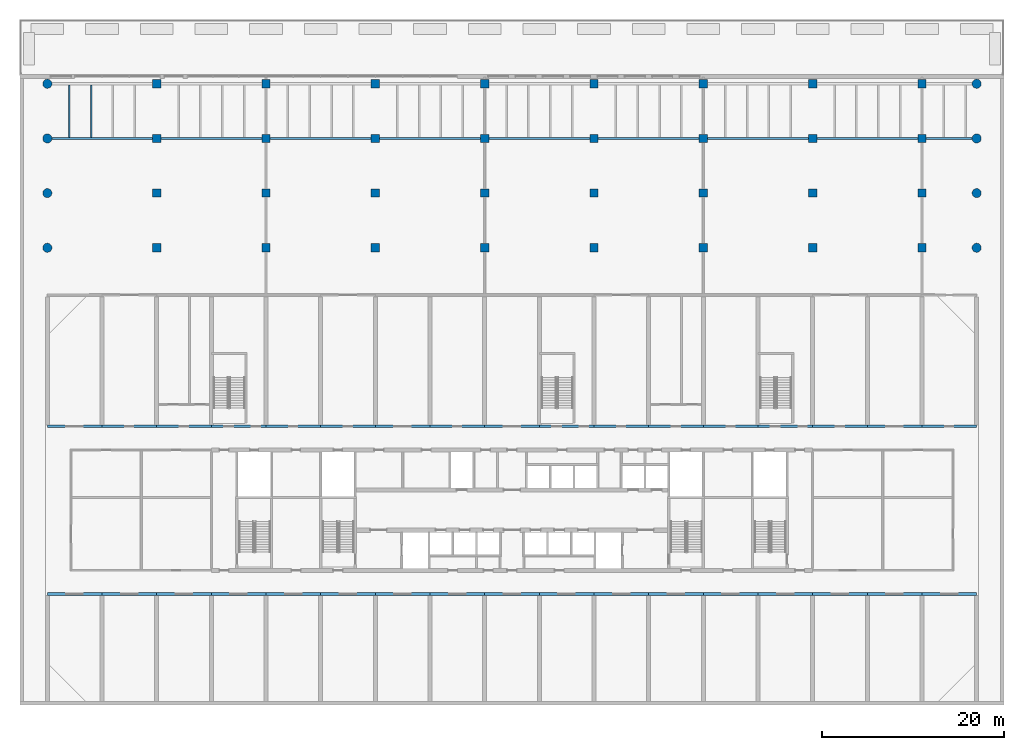
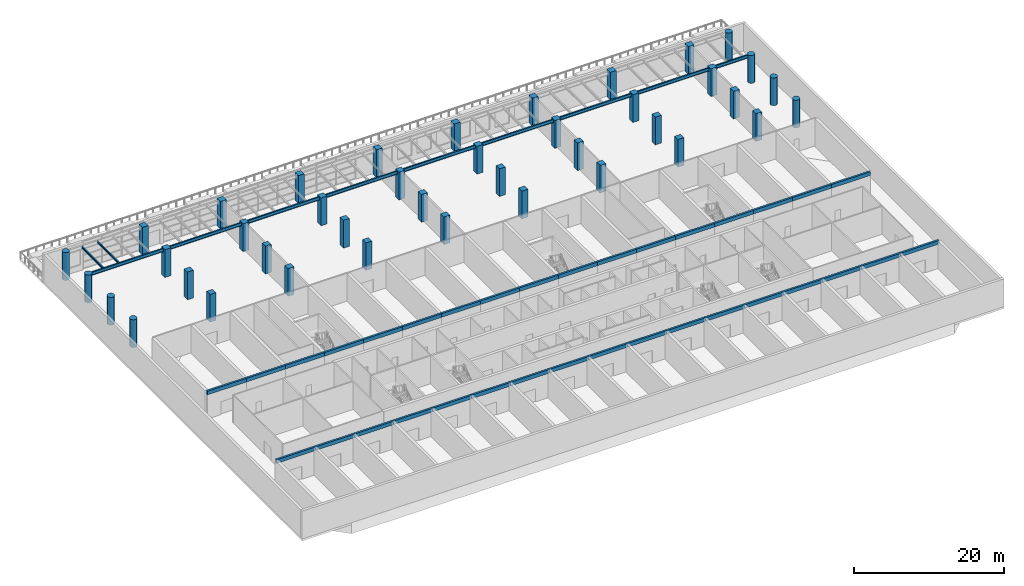
# One storey, part 1 of 20: 45 beams, 40 columns.
"""IFC4 building model written with IfcOpenShell, lengths in metres."""

from ifc_helpers import new_model, si_unit, direction, frame, origin, origin_2d, place, context, subcontext, project, spatial, rectangle, circle, i_section, extrude, source, transform, mapped, material, material_profile, profile_set, type_object, element, save


model = new_model("IFC4")

# Units and contexts
model_context = context("Model", 3, precision=1e-05, world=origin(), true_north=direction((0.0, 1.0)))
body_context = subcontext(model_context, "Body", "Model", "MODEL_VIEW")
ifc_project = project(units=[si_unit("LENGTHUNIT", "METRE"), si_unit("AREAUNIT", "SQUARE_METRE"), si_unit("VOLUMEUNIT", "CUBIC_METRE"), si_unit("PLANEANGLEUNIT", "RADIAN"), si_unit("MASSUNIT", "GRAM", prefix="KILO")], contexts=[model_context])

# Site, building, storey
site_placement = place(None, origin())
site = spatial("IfcSite", under=ifc_project, at=site_placement, CompositionType="ELEMENT")
building_placement = place(site_placement, origin())
building = spatial("IfcBuilding", under=site, at=building_placement, Name="Poui Terraces", CompositionType="ELEMENT")
storey_placement = place(building_placement, frame((0.0, 0.0, 6.0)))
storey = spatial("IfcBuildingStorey", under=building, at=storey_placement, Name="L01", CompositionType="ELEMENT", Elevation=6.0)

# Columns
ifc_material_1 = material(Name="Concrete 80 MPa", Category="concrete")
ifc_material_profile_1 = material_profile(ifc_material_1, circle(Radius=0.5, at=origin_2d()), Name="RC D1000")
ifc_profile_set_1 = profile_set([ifc_material_profile_1], Name="Concrete 80 MPa")
column_type_1 = type_object("IfcColumnType", Name="COLUMN D1000 80MPa", PredefinedType="COLUMN", material=ifc_profile_set_1)
shared_shape_1 = source(origin(), body_context, "Body", "SweptSolid", [
    extrude(circle(Radius=0.5, at=origin_2d()), origin(), (0.0, 0.0, 1.0), 4.52001953125),
])
for number, where, z_axis, x_axis, name in (
    (1, (0.0, 68.0, 0.0), (0.0, 0.0, 1.0), (1.0, 0.0, 0.0), "COLUMN P1-1R"),
    (2, (102.0, 68.0, 0.0), (0.0, 0.0, 1.0), (1.0, 0.0, 0.0), "COLUMN P1-10R"),
    (3, (0.0, 62.0, 0.0), (0.0, 0.0, 1.0), (1.0, 0.0, 0.0), "COLUMN P2-1R"),
    (4, (102.0, 62.0, 0.0), (0.0, 0.0, 1.0), (1.0, 0.0, 0.0), "COLUMN P2-10R"),
    (5, (0.0, 56.0, 0.0), (0.0, 0.0, 1.0), (1.0, 0.0, 0.0), "COLUMN P3-1R"),
    (6, (102.0, 56.0, 0.0), (0.0, 0.0, 1.0), (1.0, 0.0, 0.0), "COLUMN P3-10R"),
    (7, (0.0, 50.0, 0.0), (0.0, 0.0, 1.0), (1.0, 0.0, 0.0), "COLUMN P4-1R"),
    (8, (102.0, 50.0, 0.0), (0.0, 0.0, 1.0), (1.0, 0.0, 0.0), "COLUMN P4-10R"),
):
    element("IfcColumn", number, at=place(storey_placement, frame(where, z_axis=z_axis, x_axis=x_axis)), inside=storey, type_object=column_type_1, Name=name, PredefinedType="COLUMN", context=body_context, shape_type="MappedRepresentation", body=[
        mapped(shared_shape_1, transform((0.0, 0.0, 0.0))),
    ])
ifc_material_profile_2 = material_profile(ifc_material_1, rectangle(XDim=0.89990234375, YDim=0.89990234375, at=origin_2d()), Name="RC 900x900")
ifc_profile_set_2 = profile_set([ifc_material_profile_2], Name="Concrete 80 MPa")
column_type_2 = type_object("IfcColumnType", Name="COLUMN 900x900 80MPa", PredefinedType="COLUMN", material=ifc_profile_set_2)
shared_shape_2 = source(origin(), body_context, "Body", "SweptSolid", [
    extrude(rectangle(XDim=0.89990234375, YDim=0.89990234375, at=origin_2d()), origin(), (0.0, 0.0, 1.0), 4.52001953125),
])
for number, where, z_axis, x_axis, name in (
    (9, (12.0, 68.0, 0.0), (0.0, 0.0, 1.0), (1.0, 0.0, 0.0), "COLUMN P1-2"),
    (10, (24.0, 68.0, 0.0), (0.0, 0.0, 1.0), (1.0, 0.0, 0.0), "COLUMN P1-3"),
    (11, (36.0, 68.0, 0.0), (0.0, 0.0, 1.0), (1.0, 0.0, 0.0), "COLUMN P1-4"),
    (12, (48.0, 68.0, 0.0), (0.0, 0.0, 1.0), (1.0, 0.0, 0.0), "COLUMN P1-5"),
    (13, (60.0, 68.0, 0.0), (0.0, 0.0, 1.0), (1.0, 0.0, 0.0), "COLUMN P1-6"),
    (14, (72.0, 68.0, 0.0), (0.0, 0.0, 1.0), (1.0, 0.0, 0.0), "COLUMN P1-7"),
    (15, (84.0, 68.0, 0.0), (0.0, 0.0, 1.0), (1.0, 0.0, 0.0), "COLUMN P1-8"),
    (16, (96.0, 68.0, 0.0), (0.0, 0.0, 1.0), (1.0, 0.0, 0.0), "COLUMN P1-9"),
    (17, (12.0, 62.0, 0.0), (0.0, 0.0, 1.0), (1.0, 0.0, 0.0), "COLUMN P2-2"),
    (18, (24.0, 62.0, 0.0), (0.0, 0.0, 1.0), (1.0, 0.0, 0.0), "COLUMN P2-3"),
    (19, (36.0, 62.0, 0.0), (0.0, 0.0, 1.0), (1.0, 0.0, 0.0), "COLUMN P2-4"),
    (20, (48.0, 62.0, 0.0), (0.0, 0.0, 1.0), (1.0, 0.0, 0.0), "COLUMN P2-5"),
    (21, (60.0, 62.0, 0.0), (0.0, 0.0, 1.0), (1.0, 0.0, 0.0), "COLUMN P2-6"),
    (22, (72.0, 62.0, 0.0), (0.0, 0.0, 1.0), (1.0, 0.0, 0.0), "COLUMN P2-7"),
    (23, (84.0, 62.0, 0.0), (0.0, 0.0, 1.0), (1.0, 0.0, 0.0), "COLUMN P2-8"),
    (24, (96.0, 62.0, 0.0), (0.0, 0.0, 1.0), (1.0, 0.0, 0.0), "COLUMN P2-9"),
    (25, (12.0, 56.0, 0.0), (0.0, 0.0, 1.0), (1.0, 0.0, 0.0), "COLUMN P3-2"),
    (26, (24.0, 56.0, 0.0), (0.0, 0.0, 1.0), (1.0, 0.0, 0.0), "COLUMN P3-3"),
    (27, (36.0, 56.0, 0.0), (0.0, 0.0, 1.0), (1.0, 0.0, 0.0), "COLUMN P3-4"),
    (28, (48.0, 56.0, 0.0), (0.0, 0.0, 1.0), (1.0, 0.0, 0.0), "COLUMN P3-5"),
    (29, (60.0, 56.0, 0.0), (0.0, 0.0, 1.0), (1.0, 0.0, 0.0), "COLUMN P3-6"),
    (30, (72.0, 56.0, 0.0), (0.0, 0.0, 1.0), (1.0, 0.0, 0.0), "COLUMN P3-7"),
    (31, (84.0, 56.0, 0.0), (0.0, 0.0, 1.0), (1.0, 0.0, 0.0), "COLUMN P3-8"),
    (32, (96.0, 56.0, 0.0), (0.0, 0.0, 1.0), (1.0, 0.0, 0.0), "COLUMN P3-9"),
    (33, (12.0, 50.0, 0.0), (0.0, 0.0, 1.0), (1.0, 0.0, 0.0), "COLUMN P4-2"),
    (34, (24.0, 50.0, 0.0), (0.0, 0.0, 1.0), (1.0, 0.0, 0.0), "COLUMN P4-3"),
    (35, (36.0, 50.0, 0.0), (0.0, 0.0, 1.0), (1.0, 0.0, 0.0), "COLUMN P4-4"),
    (36, (48.0, 50.0, 0.0), (0.0, 0.0, 1.0), (1.0, 0.0, 0.0), "COLUMN P4-5"),
    (37, (60.0, 50.0, 0.0), (0.0, 0.0, 1.0), (1.0, 0.0, 0.0), "COLUMN P4-6"),
    (38, (72.0, 50.0, 0.0), (0.0, 0.0, 1.0), (1.0, 0.0, 0.0), "COLUMN P4-7"),
    (39, (84.0, 50.0, 0.0), (0.0, 0.0, 1.0), (1.0, 0.0, 0.0), "COLUMN P4-8"),
    (40, (96.0, 50.0, 0.0), (0.0, 0.0, 1.0), (1.0, 0.0, 0.0), "COLUMN P4-9"),
):
    element("IfcColumn", number, at=place(storey_placement, frame(where, z_axis=z_axis, x_axis=x_axis)), inside=storey, type_object=column_type_2, Name=name, PredefinedType="COLUMN", context=body_context, shape_type="MappedRepresentation", body=[
        mapped(shared_shape_2, transform((0.0, 0.0, 0.0))),
    ])

# Beams
ifc_material_profile_3 = material_profile(ifc_material_1, rectangle(XDim=0.300048828125, YDim=0.60009765625, at=origin_2d()), Name="RC 300x600")
ifc_profile_set_3 = profile_set([ifc_material_profile_3], Name="Concrete 80 MPa")
beam_type_1 = type_object("IfcBeamType", Name="COUPLING BEAM 300x600 80MPa", PredefinedType="BEAM", material=ifc_profile_set_3)
shared_shape_3 = source(origin(), body_context, "Body", "SweptSolid", [
    extrude(rectangle(XDim=0.300048828125, YDim=0.60009765625, at=origin_2d()), origin(), (0.0, 0.0, 1.0), 6.0),
])
for number, where, z_axis, x_axis, name in (
    (41, (0.0, 12.0, 4.219970703125), (1.0, 0.0, 0.0), (0.0, 1.0, 0.0), "COUPLING BEAM LINE B BAY 1"),
    (42, (6.0, 12.0, 4.219970703125), (1.0, 0.0, 0.0), (0.0, 1.0, 0.0), "COUPLING BEAM LINE B BAY 2"),
    (43, (12.0, 12.0, 4.219970703125), (1.0, 0.0, 0.0), (0.0, 1.0, 0.0), "COUPLING BEAM LINE B BAY 3"),
    (44, (18.0, 12.0, 4.219970703125), (1.0, 0.0, 0.0), (0.0, 1.0, 0.0), "COUPLING BEAM LINE B BAY 4"),
    (45, (24.0, 12.0, 4.219970703125), (1.0, 0.0, 0.0), (0.0, 1.0, 0.0), "COUPLING BEAM LINE B BAY 5"),
    (46, (30.0, 12.0, 4.219970703125), (1.0, 0.0, 0.0), (0.0, 1.0, 0.0), "COUPLING BEAM LINE B BAY 6"),
    (47, (36.0, 12.0, 4.219970703125), (1.0, 0.0, 0.0), (0.0, 1.0, 0.0), "COUPLING BEAM LINE B BAY 7"),
    (48, (42.0, 12.0, 4.219970703125), (1.0, 0.0, 0.0), (0.0, 1.0, 0.0), "COUPLING BEAM LINE B BAY 8"),
    (49, (48.0, 12.0, 4.219970703125), (1.0, 0.0, 0.0), (0.0, 1.0, 0.0), "COUPLING BEAM LINE B BAY 9"),
    (50, (54.0, 12.0, 4.219970703125), (1.0, 0.0, 0.0), (0.0, 1.0, 0.0), "COUPLING BEAM LINE B BAY 10"),
    (51, (60.0, 12.0, 4.219970703125), (1.0, 0.0, 0.0), (0.0, 1.0, 0.0), "COUPLING BEAM LINE B BAY 11"),
    (52, (66.0, 12.0, 4.219970703125), (1.0, 0.0, 0.0), (0.0, 1.0, 0.0), "COUPLING BEAM LINE B BAY 12"),
    (53, (72.0, 12.0, 4.219970703125), (1.0, 0.0, 0.0), (0.0, 1.0, 0.0), "COUPLING BEAM LINE B BAY 13"),
    (54, (78.0, 12.0, 4.219970703125), (1.0, 0.0, 0.0), (0.0, 1.0, 0.0), "COUPLING BEAM LINE B BAY 14"),
    (55, (84.0, 12.0, 4.219970703125), (1.0, 0.0, 0.0), (0.0, 1.0, 0.0), "COUPLING BEAM LINE B BAY 15"),
    (56, (90.0, 12.0, 4.219970703125), (1.0, 0.0, 0.0), (0.0, 1.0, 0.0), "COUPLING BEAM LINE B BAY 16"),
    (57, (96.0, 12.0, 4.219970703125), (1.0, 0.0, 0.0), (0.0, 1.0, 0.0), "COUPLING BEAM LINE B BAY 17"),
    (58, (0.0, 30.39990234375, 4.219970703125), (1.0, 0.0, 0.0), (0.0, 1.0, 0.0), "COUPLING BEAM LINE E BAY 1"),
    (59, (6.0, 30.39990234375, 4.219970703125), (1.0, 0.0, 0.0), (0.0, 1.0, 0.0), "COUPLING BEAM LINE E BAY 2"),
    (60, (12.0, 30.39990234375, 4.219970703125), (1.0, 0.0, 0.0), (0.0, 1.0, 0.0), "COUPLING BEAM LINE E BAY 3"),
    (61, (18.0, 30.39990234375, 4.219970703125), (1.0, 0.0, 0.0), (0.0, 1.0, 0.0), "COUPLING BEAM LINE E BAY 4"),
    (62, (24.0, 30.39990234375, 4.219970703125), (1.0, 0.0, 0.0), (0.0, 1.0, 0.0), "COUPLING BEAM LINE E BAY 5"),
    (63, (30.0, 30.39990234375, 4.219970703125), (1.0, 0.0, 0.0), (0.0, 1.0, 0.0), "COUPLING BEAM LINE E BAY 6"),
    (64, (36.0, 30.39990234375, 4.219970703125), (1.0, 0.0, 0.0), (0.0, 1.0, 0.0), "COUPLING BEAM LINE E BAY 7"),
    (65, (42.0, 30.39990234375, 4.219970703125), (1.0, 0.0, 0.0), (0.0, 1.0, 0.0), "COUPLING BEAM LINE E BAY 8"),
    (66, (48.0, 30.39990234375, 4.219970703125), (1.0, 0.0, 0.0), (0.0, 1.0, 0.0), "COUPLING BEAM LINE E BAY 9"),
    (67, (54.0, 30.39990234375, 4.219970703125), (1.0, 0.0, 0.0), (0.0, 1.0, 0.0), "COUPLING BEAM LINE E BAY 10"),
    (68, (60.0, 30.39990234375, 4.219970703125), (1.0, 0.0, 0.0), (0.0, 1.0, 0.0), "COUPLING BEAM LINE E BAY 11"),
    (69, (66.0, 30.39990234375, 4.219970703125), (1.0, 0.0, 0.0), (0.0, 1.0, 0.0), "COUPLING BEAM LINE E BAY 12"),
    (70, (72.0, 30.39990234375, 4.219970703125), (1.0, 0.0, 0.0), (0.0, 1.0, 0.0), "COUPLING BEAM LINE E BAY 13"),
    (71, (78.0, 30.39990234375, 4.219970703125), (1.0, 0.0, 0.0), (0.0, 1.0, 0.0), "COUPLING BEAM LINE E BAY 14"),
    (72, (84.0, 30.39990234375, 4.219970703125), (1.0, 0.0, 0.0), (0.0, 1.0, 0.0), "COUPLING BEAM LINE E BAY 15"),
    (73, (90.0, 30.39990234375, 4.219970703125), (1.0, 0.0, 0.0), (0.0, 1.0, 0.0), "COUPLING BEAM LINE E BAY 16"),
    (74, (96.0, 30.39990234375, 4.219970703125), (1.0, 0.0, 0.0), (0.0, 1.0, 0.0), "COUPLING BEAM LINE E BAY 17"),
):
    element("IfcBeam", number, at=place(storey_placement, frame(where, z_axis=z_axis, x_axis=x_axis)), inside=storey, type_object=beam_type_1, Name=name, PredefinedType="BEAM", context=body_context, shape_type="MappedRepresentation", body=[
        mapped(shared_shape_3, transform((0.0, 0.0, 0.0))),
    ])
ifc_material_2 = material(Name="Steel Grade 300 MPa", Category="steel")
ifc_material_profile_4 = material_profile(ifc_material_2, i_section(OverallWidth=0.166015625, OverallDepth=0.30712890625, WebThickness=0.006591796875, FlangeThickness=0.01171875, FilletRadius=0.011474609375, at=origin_2d()), Name="310UB46.2")
ifc_profile_set_4 = profile_set([ifc_material_profile_4], Name="Steel Grade 300 MPa")
beam_type_2 = type_object("IfcBeamType", Name="TERRACE BEAM 310UB46.2", PredefinedType="BEAM", material=ifc_profile_set_4)
shared_shape_4 = source(origin(), body_context, "Body", "SweptSolid", [
    extrude(i_section(OverallWidth=0.166015625, OverallDepth=0.30712890625, WebThickness=0.006591796875, FlangeThickness=0.01171875, FilletRadius=0.011474609375, at=origin_2d()), origin(), (0.0, 0.0, 1.0), 5.781005859375),
])
for number, where, z_axis, x_axis, name in (
    (75, (2.39990234375, 62.1044921875, 4.366455078125), (0.0, 1.0, 0.0), (-1.0, 0.0, 0.0), "TERRACE BEAM"),
    (76, (4.800048828125, 62.1044921875, 4.366455078125), (0.0, 1.0, 0.0), (-1.0, 0.0, 0.0), "TERRACE BEAM"),
):
    element("IfcBeam", number, at=place(storey_placement, frame(where, z_axis=z_axis, x_axis=x_axis)), inside=storey, type_object=beam_type_2, Name=name, PredefinedType="BEAM", context=body_context, shape_type="MappedRepresentation", body=[
        mapped(shared_shape_4, transform((0.0, 0.0, 0.0))),
    ])
ifc_material_profile_5 = material_profile(ifc_material_2, i_section(OverallWidth=0.208984375, OverallDepth=0.532958984375, WebThickness=0.01025390625, FlangeThickness=0.015625, FilletRadius=0.013916015625, at=origin_2d()), Name="530UB92.4")
ifc_profile_set_5 = profile_set([ifc_material_profile_5], Name="Steel Grade 300 MPa")
beam_type_3 = type_object("IfcBeamType", Name="TERRACE INNER GIRDER 530UB92.4", PredefinedType="BEAM", material=ifc_profile_set_5)
shared_shape_5 = source(origin(), body_context, "Body", "SweptSolid", [
    extrude(i_section(OverallWidth=0.208984375, OverallDepth=0.532958984375, WebThickness=0.01025390625, FlangeThickness=0.015625, FilletRadius=0.013916015625, at=origin_2d()), origin(), (0.0, 0.0, 1.0), 11.050048828125),
])
beam_1_placement = place(storey_placement, frame((0.5, 62.0, 4.25341796875), z_axis=(1.0, 0.0, 0.0), x_axis=(0.0, 1.0, 0.0)))
element("IfcBeam", 77, at=beam_1_placement, inside=storey, type_object=beam_type_3, Name="TERRACE GIRDER", PredefinedType="BEAM", context=body_context, shape_type="MappedRepresentation", body=[
    mapped(shared_shape_5, transform((0.0, 0.0, 0.0))),
])
shared_shape_6 = source(origin(), body_context, "Body", "SweptSolid", [
    extrude(i_section(OverallWidth=0.208984375, OverallDepth=0.532958984375, WebThickness=0.01025390625, FlangeThickness=0.015625, FilletRadius=0.013916015625, at=origin_2d()), origin(), (0.0, 0.0, 1.0), 11.10009765625),
])
for number, where, z_axis, x_axis, name in (
    (78, (12.449951171875, 62.0, 4.25341796875), (1.0, 0.0, 0.0), (0.0, 1.0, 0.0), "TERRACE GIRDER"),
    (79, (24.449951171875, 62.0, 4.25341796875), (1.0, 0.0, 0.0), (0.0, 1.0, 0.0), "TERRACE GIRDER"),
    (80, (36.449951171875, 62.0, 4.25341796875), (1.0, 0.0, 0.0), (0.0, 1.0, 0.0), "TERRACE GIRDER"),
    (81, (48.449951171875, 62.0, 4.25341796875), (1.0, 0.0, 0.0), (0.0, 1.0, 0.0), "TERRACE GIRDER"),
    (82, (60.449951171875, 62.0, 4.25341796875), (1.0, 0.0, 0.0), (0.0, 1.0, 0.0), "TERRACE GIRDER"),
    (83, (72.449951171875, 62.0, 4.25341796875), (1.0, 0.0, 0.0), (0.0, 1.0, 0.0), "TERRACE GIRDER"),
    (84, (84.449951171875, 62.0, 4.25341796875), (1.0, 0.0, 0.0), (0.0, 1.0, 0.0), "TERRACE GIRDER"),
):
    element("IfcBeam", number, at=place(storey_placement, frame(where, z_axis=z_axis, x_axis=x_axis)), inside=storey, type_object=beam_type_3, Name=name, PredefinedType="BEAM", context=body_context, shape_type="MappedRepresentation", body=[
        mapped(shared_shape_6, transform((0.0, 0.0, 0.0))),
    ])
shared_shape_7 = source(origin(), body_context, "Body", "SweptSolid", [
    extrude(i_section(OverallWidth=0.208984375, OverallDepth=0.532958984375, WebThickness=0.01025390625, FlangeThickness=0.015625, FilletRadius=0.013916015625, at=origin_2d()), origin(), (0.0, 0.0, 1.0), 5.050048828125),
])
beam_2_placement = place(storey_placement, frame((96.449951171875, 62.0, 4.25341796875), z_axis=(1.0, 0.0, 0.0), x_axis=(0.0, 1.0, 0.0)))
element("IfcBeam", 85, at=beam_2_placement, inside=storey, type_object=beam_type_3, Name="TERRACE GIRDER", PredefinedType="BEAM", context=body_context, shape_type="MappedRepresentation", body=[
    mapped(shared_shape_7, transform((0.0, 0.0, 0.0))),
])

save(model, "model.ifc")
